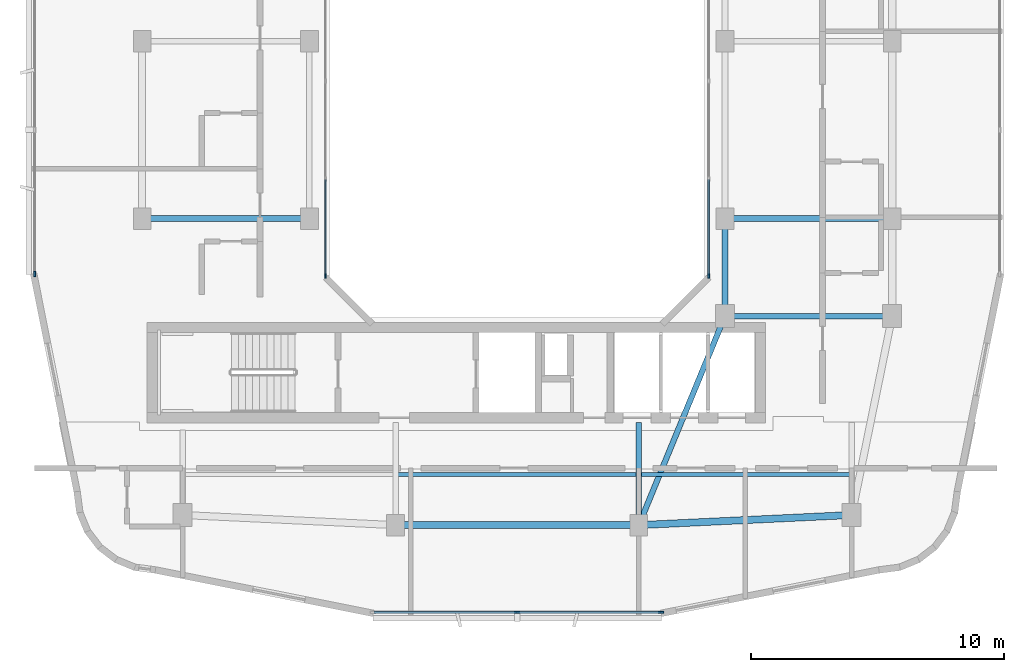
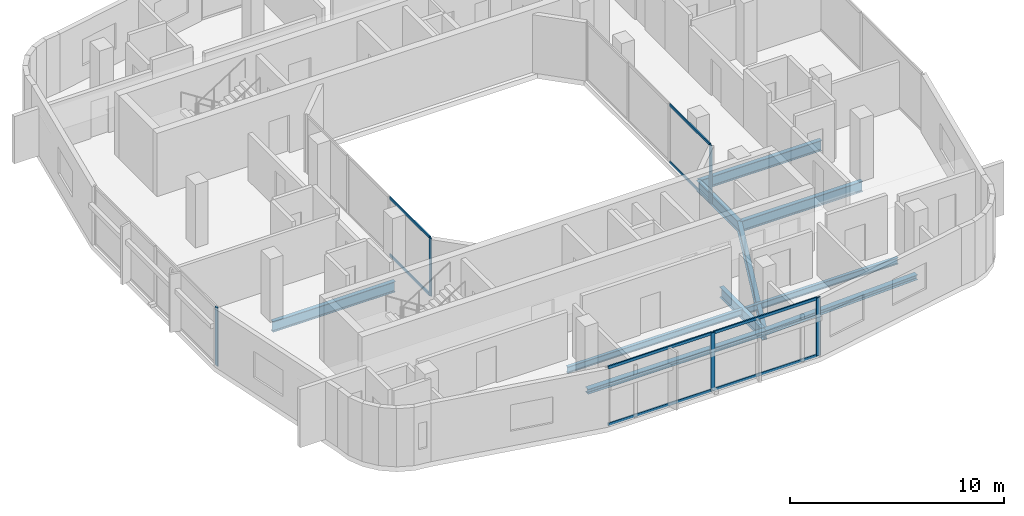
# One storey, part 2 of 14: 13 members, 10 beams, 4 elements without a shape of their own.
"""IFC4 building model written with IfcOpenShell, lengths in metres."""

from ifc_helpers import new_model, si_unit, derived_unit, direction, frame, origin, origin_2d, place, context, subcontext, project, spatial, rectangle, i_section, extrude, material, layer, layer_set, material_profile, profile_set, type_object, element, aggregate, save


model = new_model("IFC4")

# Units and contexts
model_context = context("Model", 3, precision=1e-05, world=origin(), true_north=direction((0.0, 1.0)))
body_context = subcontext(model_context, "Body", "Model", "MODEL_VIEW")
ifc_project = project(units=[si_unit("LENGTHUNIT", "METRE"), si_unit("AREAUNIT", "SQUARE_METRE"), si_unit("VOLUMEUNIT", "CUBIC_METRE"), si_unit("PLANEANGLEUNIT", "RADIAN"), si_unit("MASSUNIT", "GRAM", prefix="KILO"), derived_unit("THERMALTRANSMITTANCEUNIT", [(si_unit("POWERUNIT", "WATT"), 1), (si_unit("LENGTHUNIT", "METRE"), -2), (si_unit("THERMODYNAMICTEMPERATUREUNIT", "KELVIN"), -1)])], contexts=[model_context])

# Site, building, storey
site_placement = place(None, origin())
site = spatial("IfcSite", under=ifc_project, at=site_placement, CompositionType="ELEMENT")
building_placement = place(site_placement, origin())
building = spatial("IfcBuilding", under=site, at=building_placement, Name="Kivonza Crest Hotel", CompositionType="ELEMENT")
storey_placement = place(building_placement, frame((0.0, 0.0, 213.5)))
storey = spatial("IfcBuildingStorey", under=building, at=storey_placement, Name="L58", CompositionType="ELEMENT", Elevation=213.5)

# Beams
ifc_material_1 = material(Name="Steel S355", Category="steel")
ifc_material_profile_1 = material_profile(ifc_material_1, i_section(OverallWidth=0.280029296875, OverallDepth=0.280029296875, WebThickness=0.010498046875, FlangeThickness=0.01806640625, FilletRadius=0.02392578125, at=origin_2d()), Name="HEB 280")
ifc_profile_set_1 = profile_set([ifc_material_profile_1], Name="Steel S355")
beam_type_1 = type_object("IfcBeamType", Name="BM-HEB280", PredefinedType="SPANDREL", material=ifc_profile_set_1)
beam_1_placement = place(storey_placement, frame((16.199951171875, 9.39990234375, -0.419921875), z_axis=(1.0, 0.0, 0.0), x_axis=(0.0, 1.0, 0.0)))
element("IfcBeam", 1, at=beam_1_placement, inside=storey, type_object=beam_type_1, Name="Tower T1 L58 perimeter spandrel S1-S2", PredefinedType="SPANDREL", context=body_context, shape_type="SweptSolid", body=[
    extrude(i_section(OverallWidth=0.280029296875, OverallDepth=0.280029296875, WebThickness=0.010498046875, FlangeThickness=0.01806640625, FilletRadius=0.02392578125, at=origin_2d()), origin(), (0.0, 0.0, 1.0), 9.60009765625),
])
beam_2_placement = place(storey_placement, frame((25.800048828125, 9.39990234375, -0.419921875), z_axis=(0.998867283688, 0.047583080799, 0.0), x_axis=(-0.047583080799, 0.998867283688, 0.0)))
element("IfcBeam", 2, at=beam_2_placement, inside=storey, type_object=beam_type_1, Name="Tower T1 L58 perimeter spandrel S2-SE", PredefinedType="SPANDREL", context=body_context, shape_type="SweptSolid", body=[
    extrude(i_section(OverallWidth=0.280029296875, OverallDepth=0.280029296875, WebThickness=0.010498046875, FlangeThickness=0.01806640625, FilletRadius=0.02392578125, at=origin_2d()), origin(), (0.0, 0.0, 1.0), 8.409423828125),
])
ifc_material_profile_2 = material_profile(ifc_material_1, i_section(OverallWidth=0.169921875, OverallDepth=0.360107421875, WebThickness=0.008056640625, FlangeThickness=0.0126953125, FilletRadius=0.01806640625, at=origin_2d()), Name="IPE 360")
ifc_profile_set_2 = profile_set([ifc_material_profile_2], Name="Steel S355")
beam_type_2 = type_object("IfcBeamType", Name="BM-IPE360", PredefinedType="JOIST", material=ifc_profile_set_2)
beam_3_placement = place(storey_placement, frame((16.280029296875, 11.39990234375, -0.4599609375), z_axis=(1.0, 0.0, 0.0), x_axis=(0.0, 1.0, 0.0)))
element("IfcBeam", 3, at=beam_3_placement, inside=storey, type_object=beam_type_2, Name="Tower T1 L58 South-Mid floor joist", PredefinedType="JOIST", context=body_context, shape_type="SweptSolid", body=[
    extrude(i_section(OverallWidth=0.169921875, OverallDepth=0.360107421875, WebThickness=0.008056640625, FlangeThickness=0.0126953125, FilletRadius=0.01806640625, at=origin_2d()), origin(), (0.0, 0.0, 1.0), 9.43994140625),
])
beam_4_placement = place(storey_placement, frame((25.8798828125, 11.39990234375, -0.4599609375), z_axis=(1.0, 0.0, 0.0), x_axis=(0.0, 1.0, 0.0)))
element("IfcBeam", 4, at=beam_4_placement, inside=storey, type_object=beam_type_2, Name="Tower T1 L58 South-East floor joist", PredefinedType="JOIST", context=body_context, shape_type="SweptSolid", body=[
    extrude(i_section(OverallWidth=0.169921875, OverallDepth=0.360107421875, WebThickness=0.008056640625, FlangeThickness=0.0126953125, FilletRadius=0.01806640625, at=origin_2d()), origin(), (0.0, 0.0, 1.0), 8.240234375),
])
ifc_material_profile_3 = material_profile(ifc_material_1, i_section(OverallWidth=0.219970703125, OverallDepth=0.60009765625, WebThickness=0.011962890625, FlangeThickness=0.01904296875, FilletRadius=0.02392578125, at=origin_2d()), Name="IPE 600")
ifc_profile_set_3 = profile_set([ifc_material_profile_3], Name="Steel S355")
beam_type_3 = type_object("IfcBeamType", Name="BM-IPE600", PredefinedType="BEAM", material=ifc_profile_set_3)
beam_5_placement = place(storey_placement, frame((6.199951171875, 21.5, -0.580078125), z_axis=(1.0, 0.0, 0.0), x_axis=(0.0, 1.0, 0.0)))
element("IfcBeam", 5, at=beam_5_placement, inside=storey, type_object=beam_type_3, Name="Tower T1 L58 primary girder W1-WL1", PredefinedType="BEAM", context=body_context, shape_type="SweptSolid", body=[
    extrude(i_section(OverallWidth=0.219970703125, OverallDepth=0.60009765625, WebThickness=0.011962890625, FlangeThickness=0.01904296875, FilletRadius=0.02392578125, at=origin_2d()), origin(), (0.0, 0.0, 1.0), 6.60009765625),
])
beam_6_placement = place(storey_placement, frame((25.800048828125, 9.39990234375, -0.580078125), z_axis=(0.381022260404, 0.924565864109, 0.0), x_axis=(-0.924565864109, 0.381022260404, 0.0)))
element("IfcBeam", 6, at=beam_6_placement, inside=storey, type_object=beam_type_3, Name="Tower T1 L58 primary girder S1-TSE", PredefinedType="BEAM", context=body_context, shape_type="SweptSolid", body=[
    extrude(i_section(OverallWidth=0.219970703125, OverallDepth=0.60009765625, WebThickness=0.011962890625, FlangeThickness=0.01904296875, FilletRadius=0.02392578125, at=origin_2d()), origin(), (0.0, 0.0, 1.0), 8.923095703125),
])
beam_7_placement = place(storey_placement, frame((29.199951171875, 17.64990234375, -0.580078125), z_axis=(1.0, 0.0, 0.0), x_axis=(0.0, 1.0, 0.0)))
element("IfcBeam", 7, at=beam_7_placement, inside=storey, type_object=beam_type_3, Name="Tower T1 L58 primary girder TSE-PSE", PredefinedType="BEAM", context=body_context, shape_type="SweptSolid", body=[
    extrude(i_section(OverallWidth=0.219970703125, OverallDepth=0.60009765625, WebThickness=0.011962890625, FlangeThickness=0.01904296875, FilletRadius=0.02392578125, at=origin_2d()), origin(), (0.0, 0.0, 1.0), 6.60009765625),
])
beam_8_placement = place(storey_placement, frame((29.199951171875, 17.64990234375, -0.580078125), z_axis=(0.0, 1.0, 0.0), x_axis=(-1.0, 0.0, 0.0)))
element("IfcBeam", 8, at=beam_8_placement, inside=storey, type_object=beam_type_3, Name="Tower T1 L58 primary girder TSE-WR1", PredefinedType="BEAM", context=body_context, shape_type="SweptSolid", body=[
    extrude(i_section(OverallWidth=0.219970703125, OverallDepth=0.60009765625, WebThickness=0.011962890625, FlangeThickness=0.01904296875, FilletRadius=0.02392578125, at=origin_2d()), origin(), (0.0, 0.0, 1.0), 3.85009765625),
])
beam_9_placement = place(storey_placement, frame((29.199951171875, 21.5, -0.580078125), z_axis=(1.0, 0.0, 0.0), x_axis=(0.0, 1.0, 0.0)))
element("IfcBeam", 9, at=beam_9_placement, inside=storey, type_object=beam_type_3, Name="Tower T1 L58 primary girder WR1-E1", PredefinedType="BEAM", context=body_context, shape_type="SweptSolid", body=[
    extrude(i_section(OverallWidth=0.219970703125, OverallDepth=0.60009765625, WebThickness=0.011962890625, FlangeThickness=0.01904296875, FilletRadius=0.02392578125, at=origin_2d()), origin(), (0.0, 0.0, 1.0), 6.60009765625),
])
beam_10_placement = place(storey_placement, frame((25.800048828125, 9.39990234375, -0.580078125), z_axis=(0.0, 1.0, 0.0), x_axis=(-1.0, 0.0, 0.0)))
element("IfcBeam", 10, at=beam_10_placement, inside=storey, type_object=beam_type_3, Name="Tower T1 L58 radial core girder RS2", PredefinedType="BEAM", context=body_context, shape_type="SweptSolid", body=[
    extrude(i_section(OverallWidth=0.219970703125, OverallDepth=0.60009765625, WebThickness=0.011962890625, FlangeThickness=0.01904296875, FilletRadius=0.02392578125, at=origin_2d()), origin(), (0.0, 0.0, 1.0), 4.050048828125),
])

# Curtain wall, member
ifc_material_2 = material(Name="Anodised bronze aluminium and low-E double glazing", Category="aluminium")
ifc_layer_1 = layer(ifc_material_2, 0.159912109375)
ifc_layer_set_1 = layer_set([ifc_layer_1], Name="Anodised bronze aluminium and low-E double glazing")
curtain_wall_type_1 = type_object("IfcCurtainWallType", Name="CW-SYS-5", PredefinedType="NOTDEFINED", material=ifc_layer_set_1)
curtain_wall_1_placement = place(storey_placement, origin())
curtain_wall_1 = element("IfcCurtainWall", 11, at=curtain_wall_1_placement, inside=storey, type_object=curtain_wall_type_1, Name="L58 unitised curtain wall CW-WELL-T1-L58-3", PredefinedType="NOTDEFINED")
ifc_material_3 = material(Name="Anodised bronze aluminium", Category="aluminium")
ifc_material_profile_4 = material_profile(ifc_material_3, rectangle(XDim=0.06494140625, YDim=0.179931640625, at=origin_2d()), Name="CW-M 65x180")
ifc_profile_set_4 = profile_set([ifc_material_profile_4], Name="Anodised bronze aluminium")
member_type_1 = type_object("IfcMemberType", Name="CW-MUL-65x180", PredefinedType="MULLION", material=ifc_profile_set_4)
member_1_placement = place(storey_placement, frame((28.56005859375, 19.232421875, 0.0), z_axis=(0.0, 0.0, 1.0), x_axis=(-1.0, 0.0, 0.0)))
member_1 = element("IfcMember", 12, at=member_1_placement, type_object=member_type_1, Name="CW-5 mullion 1", PredefinedType="MULLION", context=body_context, shape_type="SweptSolid", body=[
    extrude(rectangle(XDim=0.06494140625, YDim=0.179931640625, at=origin_2d()), origin(), (0.0, 0.0, 1.0), 3.320068359375),
])

curtain_wall_2_placement = place(storey_placement, origin())
curtain_wall_2 = element("IfcCurtainWall", 13, at=curtain_wall_2_placement, inside=storey, type_object=curtain_wall_type_1, Name="L58 unitised curtain wall CW-WELL-T1-L58-7", PredefinedType="NOTDEFINED")
member_2_placement = place(storey_placement, frame((13.43994140625, 19.232421875, 0.0), z_axis=(0.0, 0.0, 1.0), x_axis=(1.0, 0.0, 0.0)))
member_2 = element("IfcMember", 14, at=member_2_placement, type_object=member_type_1, Name="CW-5 mullion 4", PredefinedType="MULLION", context=body_context, shape_type="SweptSolid", body=[
    extrude(rectangle(XDim=0.06494140625, YDim=0.179931640625, at=origin_2d()), origin(), (0.0, 0.0, 1.0), 3.320068359375),
])

# Curtain wall, members
ifc_layer_2 = layer(ifc_material_2, 0.179931640625)
ifc_layer_set_2 = layer_set([ifc_layer_2], Name="Anodised bronze aluminium and low-E double glazing")
curtain_wall_type_2 = type_object("IfcCurtainWallType", Name="CW-SYS-3", PredefinedType="NOTDEFINED", material=ifc_layer_set_2)
curtain_wall_3_placement = place(storey_placement, origin())
curtain_wall_3 = element("IfcCurtainWall", 15, at=curtain_wall_3_placement, inside=storey, type_object=curtain_wall_type_2, Name="L58 unitised curtain wall CW-T1-L58-08", PredefinedType="NOTDEFINED")
ifc_material_profile_5 = material_profile(ifc_material_3, rectangle(XDim=0.074951171875, YDim=0.219970703125, at=origin_2d()), Name="CW-M 75x220")
ifc_profile_set_5 = profile_set([ifc_material_profile_5], Name="Anodised bronze aluminium")
member_type_2 = type_object("IfcMemberType", Name="CW-MUL-75x220", PredefinedType="MULLION", material=ifc_profile_set_5)
member_3_placement = place(storey_placement, frame((21.0, 5.9599609375, 0.0), z_axis=(0.0, 0.0, 1.0), x_axis=(0.0, 1.0, 0.0)))
member_3 = element("IfcMember", 16, at=member_3_placement, type_object=member_type_2, Name="CW-3 mullion 2", PredefinedType="MULLION", context=body_context, shape_type="SweptSolid", body=[
    extrude(rectangle(XDim=0.074951171875, YDim=0.219970703125, at=origin_2d()), origin(), (0.0, 0.0, 1.0), 3.320068359375),
])
member_4_placement = place(storey_placement, frame((26.6826171875, 5.9599609375, 0.0), z_axis=(0.0, 0.0, 1.0), x_axis=(0.0, 1.0, 0.0)))
member_4 = element("IfcMember", 17, at=member_4_placement, type_object=member_type_2, Name="CW-3 mullion 3", PredefinedType="MULLION", context=body_context, shape_type="SweptSolid", body=[
    extrude(rectangle(XDim=0.074951171875, YDim=0.219970703125, at=origin_2d()), origin(), (0.0, 0.0, 1.0), 3.320068359375),
])

# Curtain wall, member
curtain_wall_4_placement = place(storey_placement, origin())
curtain_wall_4 = element("IfcCurtainWall", 18, at=curtain_wall_4_placement, inside=storey, type_object=curtain_wall_type_2, Name="L58 unitised curtain wall CW-T1-L58-35", PredefinedType="NOTDEFINED")
member_5_placement = place(storey_placement, frame((1.9599609375, 19.3173828125, 0.0), z_axis=(0.0, 0.0, 1.0), x_axis=(1.0, 0.0, 0.0)))
member_5 = element("IfcMember", 19, at=member_5_placement, type_object=member_type_2, Name="CW-3 mullion 3", PredefinedType="MULLION", context=body_context, shape_type="SweptSolid", body=[
    extrude(rectangle(XDim=0.074951171875, YDim=0.219970703125, at=origin_2d()), origin(), (0.0, 0.0, 1.0), 3.320068359375),
])
aggregate(curtain_wall_4, [member_5])

# Member
ifc_material_profile_6 = material_profile(ifc_material_3, rectangle(XDim=0.06494140625, YDim=0.139892578125, at=origin_2d()), Name="CW-T 65x140")
ifc_profile_set_6 = profile_set([ifc_material_profile_6], Name="Anodised bronze aluminium")
member_type_3 = type_object("IfcMemberType", Name="CW-TRN-65x140", PredefinedType="USERDEFINED", material=ifc_profile_set_6)
member_6_placement = place(storey_placement, frame((28.56005859375, 19.264892578125, 0.032470703125), z_axis=(0.0, 1.0, 0.0), x_axis=(-1.0, 0.0, 0.0)))
member_6 = element("IfcMember", 20, at=member_6_placement, type_object=member_type_3, Name="CW-5 transom 1.1", ObjectType="TRANSOM", PredefinedType="USERDEFINED", context=body_context, shape_type="SweptSolid", body=[
    extrude(rectangle(XDim=0.06494140625, YDim=0.139892578125, at=origin_2d()), origin(), (0.0, 0.0, 1.0), 3.769287109375),
])

member_7_placement = place(storey_placement, frame((28.56005859375, 19.264892578125, 3.28759765625), z_axis=(0.0, 1.0, 0.0), x_axis=(-1.0, 0.0, 0.0)))
member_7 = element("IfcMember", 21, at=member_7_placement, type_object=member_type_3, Name="CW-5 transom 1.2", ObjectType="TRANSOM", PredefinedType="USERDEFINED", context=body_context, shape_type="SweptSolid", body=[
    extrude(rectangle(XDim=0.06494140625, YDim=0.139892578125, at=origin_2d()), origin(), (0.0, 0.0, 1.0), 3.769287109375),
])

aggregate(curtain_wall_1, [member_1, member_6, member_7])

member_8_placement = place(storey_placement, frame((13.43994140625, 23.0341796875, 0.032470703125), z_axis=(0.0, -1.0, 0.0), x_axis=(1.0, 0.0, 0.0)))
member_8 = element("IfcMember", 22, at=member_8_placement, type_object=member_type_3, Name="CW-5 transom 3.1", ObjectType="TRANSOM", PredefinedType="USERDEFINED", context=body_context, shape_type="SweptSolid", body=[
    extrude(rectangle(XDim=0.06494140625, YDim=0.139892578125, at=origin_2d()), origin(), (0.0, 0.0, 1.0), 3.769287109375),
])

member_9_placement = place(storey_placement, frame((13.43994140625, 23.0341796875, 3.28759765625), z_axis=(0.0, -1.0, 0.0), x_axis=(1.0, 0.0, 0.0)))
member_9 = element("IfcMember", 23, at=member_9_placement, type_object=member_type_3, Name="CW-5 transom 3.2", ObjectType="TRANSOM", PredefinedType="USERDEFINED", context=body_context, shape_type="SweptSolid", body=[
    extrude(rectangle(XDim=0.06494140625, YDim=0.139892578125, at=origin_2d()), origin(), (0.0, 0.0, 1.0), 3.769287109375),
])

aggregate(curtain_wall_2, [member_2, member_8, member_9])

ifc_material_profile_7 = material_profile(ifc_material_3, rectangle(XDim=0.074951171875, YDim=0.159912109375, at=origin_2d()), Name="CW-T 75x160")
ifc_profile_set_7 = profile_set([ifc_material_profile_7], Name="Anodised bronze aluminium")
member_type_4 = type_object("IfcMemberType", Name="CW-TRN-75x160", PredefinedType="USERDEFINED", material=ifc_profile_set_7)
member_10_placement = place(storey_placement, frame((15.35498046875, 5.9599609375, 0.03759765625), z_axis=(1.0, 0.0, 0.0), x_axis=(0.0, 1.0, 0.0)))
member_10 = element("IfcMember", 24, at=member_10_placement, type_object=member_type_4, Name="CW-3 transom 1.1", ObjectType="TRANSOM", PredefinedType="USERDEFINED", context=body_context, shape_type="SweptSolid", body=[
    extrude(rectangle(XDim=0.074951171875, YDim=0.159912109375, at=origin_2d()), origin(), (0.0, 0.0, 1.0), 5.607421875),
])

member_11_placement = place(storey_placement, frame((15.35498046875, 5.9599609375, 3.282470703125), z_axis=(1.0, 0.0, 0.0), x_axis=(0.0, 1.0, 0.0)))
member_11 = element("IfcMember", 25, at=member_11_placement, type_object=member_type_4, Name="CW-3 transom 1.2", ObjectType="TRANSOM", PredefinedType="USERDEFINED", context=body_context, shape_type="SweptSolid", body=[
    extrude(rectangle(XDim=0.074951171875, YDim=0.159912109375, at=origin_2d()), origin(), (0.0, 0.0, 1.0), 5.607421875),
])

member_12_placement = place(storey_placement, frame((21.03759765625, 5.9599609375, 0.03759765625), z_axis=(1.0, 0.0, 0.0), x_axis=(0.0, 1.0, 0.0)))
member_12 = element("IfcMember", 26, at=member_12_placement, type_object=member_type_4, Name="CW-3 transom 2.1", ObjectType="TRANSOM", PredefinedType="USERDEFINED", context=body_context, shape_type="SweptSolid", body=[
    extrude(rectangle(XDim=0.074951171875, YDim=0.159912109375, at=origin_2d()), origin(), (0.0, 0.0, 1.0), 5.607421875),
])

member_13_placement = place(storey_placement, frame((21.03759765625, 5.9599609375, 3.282470703125), z_axis=(1.0, 0.0, 0.0), x_axis=(0.0, 1.0, 0.0)))
member_13 = element("IfcMember", 27, at=member_13_placement, type_object=member_type_4, Name="CW-3 transom 2.2", ObjectType="TRANSOM", PredefinedType="USERDEFINED", context=body_context, shape_type="SweptSolid", body=[
    extrude(rectangle(XDim=0.074951171875, YDim=0.159912109375, at=origin_2d()), origin(), (0.0, 0.0, 1.0), 5.607421875),
])

aggregate(curtain_wall_3, [member_3, member_4, member_10, member_11, member_12, member_13])

save(model, "model.ifc")
